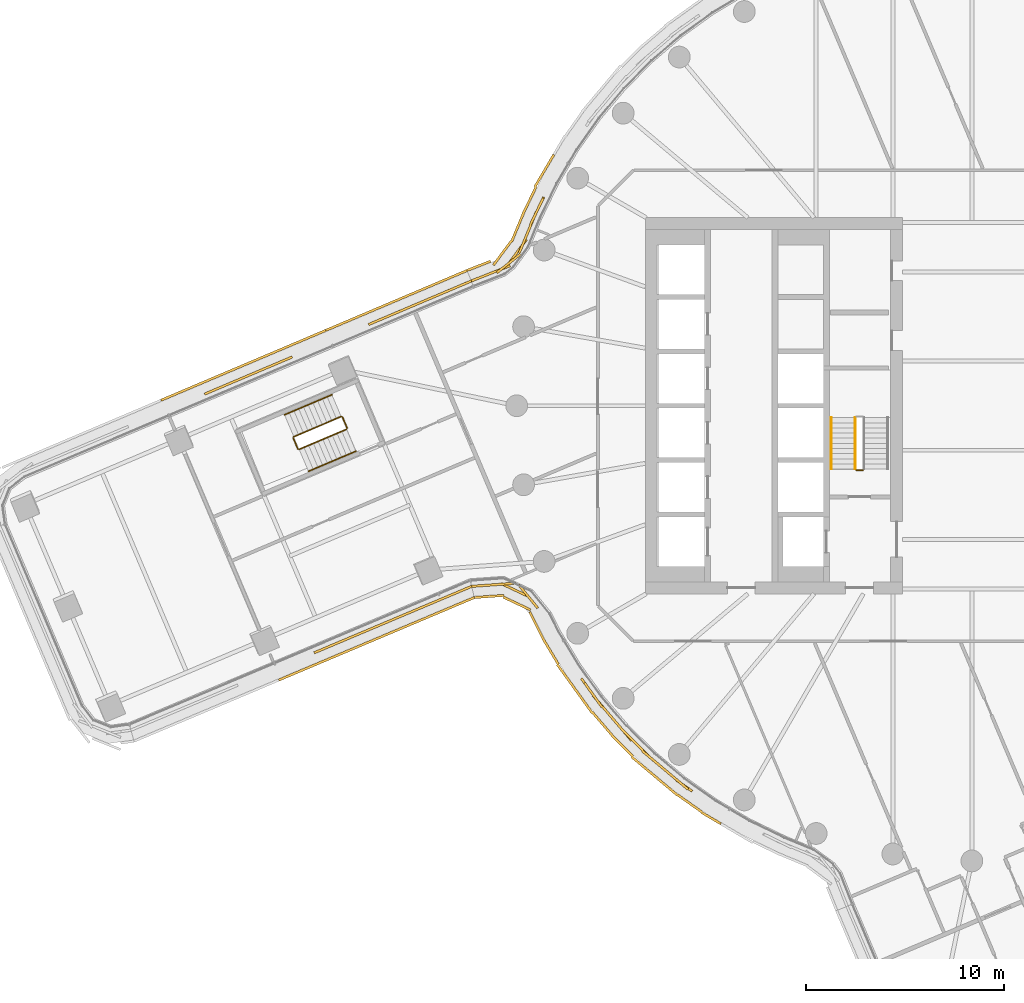
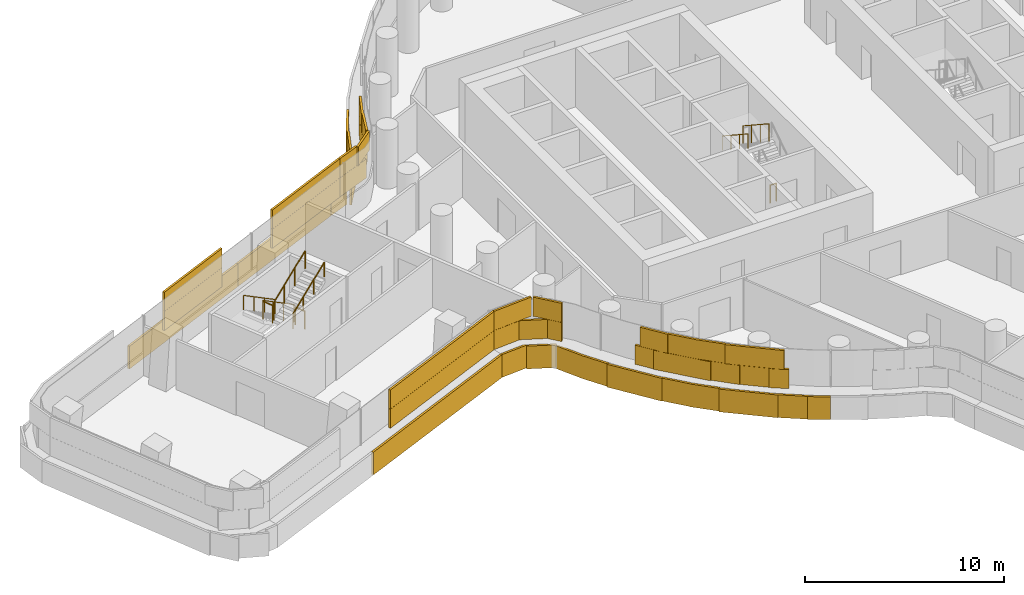
# One storey, part 30 of 35: 9 railings, 5 coverings.
"""IFC4 building model written with IfcOpenShell, lengths in metres."""

from ifc_helpers import new_model, si_unit, direction, frame, origin, origin_2d, place, context, subcontext, project, spatial, rectangle, circle, extrude, material, layer, layer_set, type_object, element, save


model = new_model("IFC4")

# Units and contexts
model_context = context("Model", 3, precision=1e-05, world=origin(), true_north=direction((0.0, 1.0)))
body_context = subcontext(model_context, "Body", "Model", "MODEL_VIEW")
ifc_project = project(units=[si_unit("LENGTHUNIT", "METRE"), si_unit("AREAUNIT", "SQUARE_METRE"), si_unit("VOLUMEUNIT", "CUBIC_METRE"), si_unit("PLANEANGLEUNIT", "RADIAN"), si_unit("MASSUNIT", "GRAM", prefix="KILO")], contexts=[model_context])

# Site, building, storey
site_placement = place(None, origin())
site = spatial("IfcSite", under=ifc_project, at=site_placement, CompositionType="ELEMENT")
building_placement = place(site_placement, origin())
building = spatial("IfcBuilding", under=site, at=building_placement, Name="Tamarind Cross Interchange Tower", CompositionType="ELEMENT")
storey_placement = place(building_placement, frame((0.0, 0.0, 117.25)))
storey = spatial("IfcBuildingStorey", under=building, at=storey_placement, Name="L28", CompositionType="ELEMENT", Elevation=117.25)

# Railings
ifc_material_1 = material(Name="Stair guard")
railing_type_1 = type_object("IfcRailingType", Name="Stair guard", PredefinedType="GUARDRAIL", material=ifc_material_1)
railing_1_placement = place(storey_placement, frame((-5.89990234375, -0.60009765625, 2.04541015625)))
element("IfcRailing", 1, at=railing_1_placement, inside=storey, type_object=railing_type_1, Name="L28 ST1 stair guard 3", PredefinedType="GUARDRAIL", context=body_context, shape_type="SweptSolid", body=[
    extrude(circle(Radius=0.02392578125, at=origin_2d()), frame((0.0, 0.0, 1.076171875), z_axis=(0.0, -0.836278606002, 0.548304744775), x_axis=(1.0, 0.0, 0.0)), (0.0, 0.0, 1.0), 3.10888671875),
    extrude(circle(Radius=0.02099609375, at=origin_2d()), origin(), (0.0, 0.0, 1.0), 1.052001953125),
    extrude(circle(Radius=0.02099609375, at=origin_2d()), frame((0.0, -0.86669921875, 0.568115234375)), (0.0, 0.0, 1.0), 1.052001953125),
    extrude(circle(Radius=0.02099609375, at=origin_2d()), frame((0.0, -1.733154296875, 1.136474609375)), (0.0, 0.0, 1.0), 1.052001953125),
    extrude(circle(Radius=0.02099609375, at=origin_2d()), frame((0.0, -2.599853515625, 1.70458984375)), (0.0, 0.0, 1.0), 1.052001953125),
])
railing_2_placement = place(storey_placement, frame((-5.5, -3.25, 0.0)))
element("IfcRailing", 2, at=railing_2_placement, inside=storey, type_object=railing_type_1, Name="L28 ST1 stair guard 4", PredefinedType="GUARDRAIL", context=body_context, shape_type="SweptSolid", body=[
    extrude(circle(Radius=0.02392578125, at=origin_2d()), frame((0.0, 0.0, 1.076171875), z_axis=(-1.0, 0.0, 0.0), x_axis=(0.0, -1.0, 0.0)), (0.0, 0.0, 1.0), 0.35009765625),
    extrude(circle(Radius=0.02099609375, at=origin_2d()), origin(), (0.0, 0.0, 1.0), 1.052001953125),
    extrude(circle(Radius=0.02099609375, at=origin_2d()), frame((-0.35009765625, 0.0, 0.0)), (0.0, 0.0, 1.0), 1.052001953125),
])
railing_3_placement = place(storey_placement, frame((-31.869873046875, -0.547607421875, 0.17041015625)))
element("IfcRailing", 3, at=railing_3_placement, inside=storey, type_object=railing_type_1, Name="L28 ST5 stair guard 1", PredefinedType="GUARDRAIL", context=body_context, shape_type="SweptSolid", body=[
    extrude(circle(Radius=0.02392578125, at=origin_2d()), frame((0.0, 0.0, 1.076171875), z_axis=(-0.769885340625, -0.326596606657, 0.548280237479), x_axis=(0.390528143899, -0.920590988888, 0.0)), (0.0, 0.0, 1.0), 3.10888671875),
    extrude(circle(Radius=0.02099609375, at=origin_2d()), origin(), (0.0, 0.0, 1.0), 1.052001953125),
    extrude(circle(Radius=0.02099609375, at=origin_2d()), frame((-0.7978515625, -0.33837890625, 0.568115234375)), (0.0, 0.0, 1.0), 1.052001953125),
    extrude(circle(Radius=0.02099609375, at=origin_2d()), frame((-1.595703125, -0.677001953125, 1.136474609375)), (0.0, 0.0, 1.0), 1.052001953125),
    extrude(circle(Radius=0.02099609375, at=origin_2d()), frame((-2.3935546875, -1.015380859375, 1.70458984375)), (0.0, 0.0, 1.0), 1.052001953125),
])
railing_4_placement = place(storey_placement, frame((-34.289794921875, -1.62841796875, 1.875)))
element("IfcRailing", 4, at=railing_4_placement, inside=storey, type_object=railing_type_1, Name="L28 ST5 stair guard 2", PredefinedType="GUARDRAIL", context=body_context, shape_type="SweptSolid", body=[
    extrude(circle(Radius=0.02392578125, at=origin_2d()), frame((0.0, 0.0, 1.076171875), z_axis=(0.390184111939, -0.920736856431, 0.0), x_axis=(0.920736856431, 0.390184111939, 0.0)), (0.0, 0.0, 1.0), 0.60009765625),
    extrude(circle(Radius=0.02099609375, at=origin_2d()), origin(), (0.0, 0.0, 1.0), 1.052001953125),
    extrude(circle(Radius=0.02099609375, at=origin_2d()), frame((0.234130859375, -0.552490234375, 0.0)), (0.0, 0.0, 1.0), 1.052001953125),
])
railing_5_placement = place(storey_placement, frame((-33.989990234375, -2.207275390625, 2.04541015625)))
element("IfcRailing", 5, at=railing_5_placement, inside=storey, type_object=railing_type_1, Name="L28 ST5 stair guard 3", PredefinedType="GUARDRAIL", context=body_context, shape_type="SweptSolid", body=[
    extrude(circle(Radius=0.02392578125, at=origin_2d()), frame((0.0, 0.0, 1.076171875), z_axis=(0.769905084162, 0.326526452463, 0.548294298003), x_axis=(-0.390448560819, 0.920624745135, 0.0)), (0.0, 0.0, 1.0), 3.10888671875),
    extrude(circle(Radius=0.02099609375, at=origin_2d()), origin(), (0.0, 0.0, 1.0), 1.052001953125),
    extrude(circle(Radius=0.02099609375, at=origin_2d()), frame((0.7978515625, 0.33837890625, 0.568115234375)), (0.0, 0.0, 1.0), 1.052001953125),
    extrude(circle(Radius=0.02099609375, at=origin_2d()), frame((1.595703125, 0.6767578125, 1.136474609375)), (0.0, 0.0, 1.0), 1.052001953125),
    extrude(circle(Radius=0.02099609375, at=origin_2d()), frame((2.3935546875, 1.01513671875, 1.70458984375)), (0.0, 0.0, 1.0), 1.052001953125),
])
railing_6_placement = place(storey_placement, frame((-31.80419921875, -0.57421875, 0.0)))
element("IfcRailing", 6, at=railing_6_placement, inside=storey, type_object=railing_type_1, Name="L28 ST5 stair guard 4", PredefinedType="GUARDRAIL", context=body_context, shape_type="SweptSolid", body=[
    extrude(circle(Radius=0.02392578125, at=origin_2d()), frame((0.0, 0.0, 1.076171875), z_axis=(0.390675254549, -0.920528568532, 0.0), x_axis=(0.920528568532, 0.390675254549, 0.0)), (0.0, 0.0, 1.0), 0.599853515625),
    extrude(circle(Radius=0.02099609375, at=origin_2d()), origin(), (0.0, 0.0, 1.0), 1.052001953125),
    extrude(circle(Radius=0.02099609375, at=origin_2d()), frame((0.234375, -0.55224609375, 0.0)), (0.0, 0.0, 1.0), 1.052001953125),
])
ifc_material_2 = material(Name="Stair handrail")
railing_type_2 = type_object("IfcRailingType", Name="Stair handrail", PredefinedType="HANDRAIL", material=ifc_material_2)
railing_7_placement = place(storey_placement, frame((-7.10009765625, -0.60009765625, 2.04541015625)))
element("IfcRailing", 7, at=railing_7_placement, inside=storey, type_object=railing_type_2, Name="L28 ST1 stair handrail 2", PredefinedType="HANDRAIL", context=body_context, shape_type="SweptSolid", body=[
    extrude(circle(Radius=0.02392578125, at=origin_2d()), frame((0.0, 0.0, 0.8759765625), z_axis=(0.0, -0.836278606002, 0.548304744775), x_axis=(1.0, 0.0, 0.0)), (0.0, 0.0, 1.0), 3.10888671875),
    extrude(circle(Radius=0.02099609375, at=origin_2d()), origin(), (0.0, 0.0, 1.0), 0.851806640625),
    extrude(circle(Radius=0.02099609375, at=origin_2d()), frame((0.0, -0.86669921875, 0.568115234375)), (0.0, 0.0, 1.0), 0.851806640625),
    extrude(circle(Radius=0.02099609375, at=origin_2d()), frame((0.0, -1.733154296875, 1.136474609375)), (0.0, 0.0, 1.0), 0.851806640625),
    extrude(circle(Radius=0.02099609375, at=origin_2d()), frame((0.0, -2.599853515625, 1.70458984375)), (0.0, 0.0, 1.0), 0.851806640625),
])
railing_8_placement = place(storey_placement, frame((-32.33837890625, 0.55712890625, 0.17041015625)))
element("IfcRailing", 8, at=railing_8_placement, inside=storey, type_object=railing_type_2, Name="L28 ST5 stair handrail 1", PredefinedType="HANDRAIL", context=body_context, shape_type="SweptSolid", body=[
    extrude(circle(Radius=0.02392578125, at=origin_2d()), frame((0.0, 0.0, 0.8759765625), z_axis=(-0.769885340625, -0.326596606657, 0.548280237479), x_axis=(0.390528143899, -0.920590988888, 0.0)), (0.0, 0.0, 1.0), 3.10888671875),
    extrude(circle(Radius=0.02099609375, at=origin_2d()), origin(), (0.0, 0.0, 1.0), 0.851806640625),
    extrude(circle(Radius=0.02099609375, at=origin_2d()), frame((-0.7978515625, -0.33837890625, 0.568115234375)), (0.0, 0.0, 1.0), 0.851806640625),
    extrude(circle(Radius=0.02099609375, at=origin_2d()), frame((-1.595703125, -0.677001953125, 1.136474609375)), (0.0, 0.0, 1.0), 0.851806640625),
    extrude(circle(Radius=0.02099609375, at=origin_2d()), frame((-2.3935546875, -1.015380859375, 1.70458984375)), (0.0, 0.0, 1.0), 0.851806640625),
])
railing_9_placement = place(storey_placement, frame((-33.521484375, -3.31201171875, 2.04541015625)))
element("IfcRailing", 9, at=railing_9_placement, inside=storey, type_object=railing_type_2, Name="L28 ST5 stair handrail 2", PredefinedType="HANDRAIL", context=body_context, shape_type="SweptSolid", body=[
    extrude(circle(Radius=0.02392578125, at=origin_2d()), frame((0.0, 0.0, 0.8759765625), z_axis=(0.769905084162, 0.326526452463, 0.548294298003), x_axis=(-0.390448560819, 0.920624745135, 0.0)), (0.0, 0.0, 1.0), 3.10888671875),
    extrude(circle(Radius=0.02099609375, at=origin_2d()), origin(), (0.0, 0.0, 1.0), 0.851806640625),
    extrude(circle(Radius=0.02099609375, at=origin_2d()), frame((0.7978515625, 0.33837890625, 0.568115234375)), (0.0, 0.0, 1.0), 0.851806640625),
    extrude(circle(Radius=0.02099609375, at=origin_2d()), frame((1.595703125, 0.6767578125, 1.136474609375)), (0.0, 0.0, 1.0), 0.851806640625),
    extrude(circle(Radius=0.02099609375, at=origin_2d()), frame((2.3935546875, 1.01513671875, 1.70458984375)), (0.0, 0.0, 1.0), 0.851806640625),
])

# Coverings
ifc_material_3 = material(Name="Terracotta", Category="masonry")
ifc_layer = layer(ifc_material_3, 0.1201171875)
ifc_layer_set = layer_set([ifc_layer], Name="Terracotta")
covering_type = type_object("IfcCoveringType", Name="Terracotta baguette screen unit", PredefinedType="MOLDING", material=ifc_layer_set)
covering_1_placement = place(storey_placement, origin())
element("IfcCovering", 10, at=covering_1_placement, inside=storey, type_object=covering_type, Name="SCR-L28-01-01", PredefinedType="MOLDING", context=body_context, shape_type="SweptSolid", body=[
    extrude(rectangle(XDim=0.45751953125, YDim=0.1201171875, at=origin_2d()), frame((-33.02392578125, -12.396484375, 1.404052734375), z_axis=(0.0, 0.0, 1.0), x_axis=(0.921263635853, 0.388938701154, 0.0)), (0.0, 0.0, 1.0), 1.1669921875),
    extrude(rectangle(XDim=1.52001953125, YDim=0.1201171875, at=origin_2d()), frame((-32.126953125, -12.017822265625, 1.404052734375), z_axis=(0.0, 0.0, 1.0), x_axis=(0.921263635853, 0.388938701154, 0.0)), (0.0, 0.0, 1.0), 1.1669921875),
    extrude(rectangle(XDim=1.52001953125, YDim=0.1201171875, at=origin_2d()), frame((-30.744873046875, -11.434326171875, 1.404052734375), z_axis=(0.0, 0.0, 1.0), x_axis=(0.921263635853, 0.388938701154, 0.0)), (0.0, 0.0, 1.0), 1.1669921875),
    extrude(rectangle(XDim=1.52001953125, YDim=0.1201171875, at=origin_2d()), frame((-29.363037109375, -10.850830078125, 1.404052734375), z_axis=(0.0, 0.0, 1.0), x_axis=(0.921263635853, 0.388938701154, 0.0)), (0.0, 0.0, 1.0), 1.1669921875),
    extrude(rectangle(XDim=1.52001953125, YDim=0.1201171875, at=origin_2d()), frame((-27.981201171875, -10.267578125, 1.404052734375), z_axis=(0.0, 0.0, 1.0), x_axis=(0.921263635853, 0.388938701154, 0.0)), (0.0, 0.0, 1.0), 1.1669921875),
    extrude(rectangle(XDim=1.52001953125, YDim=0.1201171875, at=origin_2d()), frame((-26.599365234375, -9.68408203125, 1.404052734375), z_axis=(0.0, 0.0, 1.0), x_axis=(0.921263635853, 0.388938701154, 0.0)), (0.0, 0.0, 1.0), 1.1669921875),
    extrude(rectangle(XDim=0.69384765625, YDim=0.1201171875, at=origin_2d()), frame((-25.59326171875, -9.259521484375, 1.404052734375), z_axis=(0.0, 0.0, 1.0), x_axis=(0.921263635853, 0.388938701154, 0.0)), (0.0, 0.0, 1.0), 1.1669921875),
    extrude(rectangle(XDim=1.20751953125, YDim=0.1201171875, at=origin_2d()), frame((-32.678466796875, -12.250732421875, 2.5791015625), z_axis=(0.0, 0.0, 1.0), x_axis=(0.921263635853, 0.388938701154, 0.0)), (0.0, 0.0, 1.0), 1.1669921875),
    extrude(rectangle(XDim=1.52001953125, YDim=0.1201171875, at=origin_2d()), frame((-31.435791015625, -11.72607421875, 2.5791015625), z_axis=(0.0, 0.0, 1.0), x_axis=(0.921263635853, 0.388938701154, 0.0)), (0.0, 0.0, 1.0), 1.1669921875),
    extrude(rectangle(XDim=1.52001953125, YDim=0.1201171875, at=origin_2d()), frame((-30.053955078125, -11.142578125, 2.5791015625), z_axis=(0.0, 0.0, 1.0), x_axis=(0.921263635853, 0.388938701154, 0.0)), (0.0, 0.0, 1.0), 1.1669921875),
    extrude(rectangle(XDim=1.52001953125, YDim=0.1201171875, at=origin_2d()), frame((-28.672119140625, -10.559326171875, 2.5791015625), z_axis=(0.0, 0.0, 1.0), x_axis=(0.921263635853, 0.388938701154, 0.0)), (0.0, 0.0, 1.0), 1.1669921875),
    extrude(rectangle(XDim=1.52001953125, YDim=0.1201171875, at=origin_2d()), frame((-27.290283203125, -9.975830078125, 2.5791015625), z_axis=(0.0, 0.0, 1.0), x_axis=(0.921263635853, 0.388938701154, 0.0)), (0.0, 0.0, 1.0), 1.1669921875),
    extrude(rectangle(XDim=1.44384765625, YDim=0.1201171875, at=origin_2d()), frame((-25.938720703125, -9.4052734375, 2.5791015625), z_axis=(0.0, 0.0, 1.0), x_axis=(0.921263635853, 0.388938701154, 0.0)), (0.0, 0.0, 1.0), 1.1669921875),
    extrude(rectangle(XDim=1.06591796875, YDim=0.1201171875, at=origin_2d()), frame((-34.52734375, -13.654296875, 0.00390625), z_axis=(0.0, 0.0, 1.0), x_axis=(0.921263635853, 0.388938701154, 0.0)), (0.0, 0.0, 1.0), 1.39208984375),
    extrude(rectangle(XDim=1.52001953125, YDim=0.1201171875, at=origin_2d()), frame((-33.354736328125, -13.1591796875, 0.00390625), z_axis=(0.0, 0.0, 1.0), x_axis=(0.921263635853, 0.388938701154, 0.0)), (0.0, 0.0, 1.0), 1.39208984375),
    extrude(rectangle(XDim=1.52001953125, YDim=0.1201171875, at=origin_2d()), frame((-31.97265625, -12.57568359375, 0.00390625), z_axis=(0.0, 0.0, 1.0), x_axis=(0.921263635853, 0.388938701154, 0.0)), (0.0, 0.0, 1.0), 1.39208984375),
    extrude(rectangle(XDim=1.52001953125, YDim=0.1201171875, at=origin_2d()), frame((-30.5908203125, -11.992431640625, 0.00390625), z_axis=(0.0, 0.0, 1.0), x_axis=(0.921263635853, 0.388938701154, 0.0)), (0.0, 0.0, 1.0), 1.39208984375),
    extrude(rectangle(XDim=1.52001953125, YDim=0.1201171875, at=origin_2d()), frame((-29.208984375, -11.408935546875, 0.00390625), z_axis=(0.0, 0.0, 1.0), x_axis=(0.921263635853, 0.388938701154, 0.0)), (0.0, 0.0, 1.0), 1.39208984375),
    extrude(rectangle(XDim=1.52001953125, YDim=0.1201171875, at=origin_2d()), frame((-27.8271484375, -10.825439453125, 0.00390625), z_axis=(0.0, 0.0, 1.0), x_axis=(0.921263635853, 0.388938701154, 0.0)), (0.0, 0.0, 1.0), 1.39208984375),
    extrude(rectangle(XDim=1.52001953125, YDim=0.1201171875, at=origin_2d()), frame((-26.445068359375, -10.2421875, 0.00390625), z_axis=(0.0, 0.0, 1.0), x_axis=(0.921263635853, 0.388938701154, 0.0)), (0.0, 0.0, 1.0), 1.39208984375),
    extrude(rectangle(XDim=0.673828125, YDim=0.1201171875, at=origin_2d()), frame((-25.453125, -9.8232421875, 0.00390625), z_axis=(0.0, 0.0, 1.0), x_axis=(0.921263635853, 0.388938701154, 0.0)), (0.0, 0.0, 1.0), 1.39208984375),
])
covering_2_placement = place(storey_placement, origin())
element("IfcCovering", 11, at=covering_2_placement, inside=storey, type_object=covering_type, Name="SCR-L28-02-00", PredefinedType="MOLDING", context=body_context, shape_type="SweptSolid", body=[
    extrude(rectangle(XDim=1.510009765625, YDim=0.1201171875, at=origin_2d()), frame((-24.5302734375, -9.072998046875, 1.404052734375), z_axis=(0.0, 0.0, 1.0), x_axis=(0.997457693651, 0.071261135101, 0.0)), (0.0, 0.0, 1.0), 1.1669921875),
    extrude(rectangle(XDim=1.52001953125, YDim=0.1201171875, at=origin_2d()), frame((-23.09814453125, -9.308349609375, 1.404052734375), z_axis=(0.0, 0.0, 1.0), x_axis=(0.904286788189, -0.426925525948, 0.0)), (0.0, 0.0, 1.0), 1.1669921875),
    extrude(rectangle(XDim=0.775390625, YDim=0.1201171875, at=origin_2d()), frame((-22.179443359375, -9.92724609375, 1.404052734375), z_axis=(0.0, 0.0, 1.0), x_axis=(0.632251861763, -0.774762920704, 0.0)), (0.0, 0.0, 1.0), 1.1669921875),
    extrude(rectangle(XDim=1.044677734375, YDim=0.1201171875, at=origin_2d()), frame((-19.427490234375, -14.203857421875, 1.404052734375), z_axis=(0.0, 0.0, 1.0), x_axis=(0.584573890505, -0.811340475102, 0.0)), (0.0, 0.0, 1.0), 1.1669921875),
    extrude(rectangle(XDim=1.52001953125, YDim=0.1201171875, at=origin_2d()), frame((-18.658203125, -15.20947265625, 1.404052734375), z_axis=(0.0, 0.0, 1.0), x_axis=(0.64957723968, -0.760295606781, 0.0)), (0.0, 0.0, 1.0), 1.1669921875),
    extrude(rectangle(XDim=1.52001953125, YDim=0.1201171875, at=origin_2d()), frame((-17.683837890625, -16.35009765625, 1.404052734375), z_axis=(0.0, 0.0, 1.0), x_axis=(0.64957723968, -0.760295606781, 0.0)), (0.0, 0.0, 1.0), 1.1669921875),
    extrude(rectangle(XDim=1.52001953125, YDim=0.1201171875, at=origin_2d()), frame((-16.62158203125, -17.408935546875, 1.404052734375), z_axis=(0.0, 0.0, 1.0), x_axis=(0.710143317658, -0.704057148523, 0.0)), (0.0, 0.0, 1.0), 1.1669921875),
    extrude(rectangle(XDim=1.52001953125, YDim=0.1201171875, at=origin_2d()), frame((-15.503173828125, -18.406494140625, 1.404052734375), z_axis=(0.0, 0.0, 1.0), x_axis=(0.765858396687, -0.643009266048, 0.0)), (0.0, 0.0, 1.0), 1.1669921875),
    extrude(rectangle(XDim=0.99560546875, YDim=0.1201171875, at=origin_2d()), frame((-14.540771484375, -19.19189453125, 1.404052734375), z_axis=(0.0, 0.0, 1.0), x_axis=(0.816341886298, -0.577568978284, 0.0)), (0.0, 0.0, 1.0), 1.1669921875),
    extrude(rectangle(XDim=0.760009765625, YDim=0.1201171875, at=origin_2d()), frame((-24.904296875, -9.099609375, 2.5791015625), z_axis=(0.0, 0.0, 1.0), x_axis=(0.997457693651, 0.071261135101, 0.0)), (0.0, 0.0, 1.0), 1.1669921875),
    extrude(rectangle(XDim=1.52001953125, YDim=0.1201171875, at=origin_2d()), frame((-23.7822265625, -9.01953125, 2.5791015625), z_axis=(0.0, 0.0, 1.0), x_axis=(0.997457693651, 0.071261135101, 0.0)), (0.0, 0.0, 1.0), 1.1669921875),
    extrude(rectangle(XDim=1.52001953125, YDim=0.1201171875, at=origin_2d()), frame((-22.421630859375, -9.630615234375, 2.5791015625), z_axis=(0.0, 0.0, 1.0), x_axis=(0.632251861763, -0.774762920704, 0.0)), (0.0, 0.0, 1.0), 1.1669921875),
    extrude(rectangle(XDim=1.52001953125, YDim=0.1201171875, at=origin_2d()), frame((-19.125, -14.62353515625, 2.5791015625), z_axis=(0.0, 0.0, 1.0), x_axis=(0.584573890505, -0.811340475102, 0.0)), (0.0, 0.0, 1.0), 1.1669921875),
    extrude(rectangle(XDim=1.52001953125, YDim=0.1201171875, at=origin_2d()), frame((-18.1708984375, -15.77978515625, 2.5791015625), z_axis=(0.0, 0.0, 1.0), x_axis=(0.64957723968, -0.760295606781, 0.0)), (0.0, 0.0, 1.0), 1.1669921875),
    extrude(rectangle(XDim=1.52001953125, YDim=0.1201171875, at=origin_2d()), frame((-17.154296875, -16.880859375, 2.5791015625), z_axis=(0.0, 0.0, 1.0), x_axis=(0.710143317658, -0.704057148523, 0.0)), (0.0, 0.0, 1.0), 1.1669921875),
    extrude(rectangle(XDim=1.52001953125, YDim=0.1201171875, at=origin_2d()), frame((-16.077392578125, -17.92431640625, 2.5791015625), z_axis=(0.0, 0.0, 1.0), x_axis=(0.765858396687, -0.643009266048, 0.0)), (0.0, 0.0, 1.0), 1.1669921875),
    extrude(rectangle(XDim=1.52001953125, YDim=0.1201171875, at=origin_2d()), frame((-14.9287109375, -18.888916015625, 2.5791015625), z_axis=(0.0, 0.0, 1.0), x_axis=(0.765858396687, -0.643009266048, 0.0)), (0.0, 0.0, 1.0), 1.1669921875),
    extrude(rectangle(XDim=1.510009765625, YDim=0.1201171875, at=origin_2d()), frame((-24.3896484375, -9.638427734375, 0.00390625), z_axis=(0.0, 0.0, 1.0), x_axis=(0.997457693651, 0.071261135101, 0.0)), (0.0, 0.0, 1.0), 1.39208984375),
    extrude(rectangle(XDim=1.52001953125, YDim=0.1201171875, at=origin_2d()), frame((-22.985107421875, -9.996337890625, 0.00390625), z_axis=(0.0, 0.0, 1.0), x_axis=(0.904286788189, -0.426925525948, 0.0)), (0.0, 0.0, 1.0), 1.39208984375),
    extrude(rectangle(XDim=1.52001953125, YDim=0.1201171875, at=origin_2d()), frame((-22.002685546875, -11.098876953125, 0.00390625), z_axis=(0.0, 0.0, 1.0), x_axis=(0.446827192786, -0.894620288048, 0.0)), (0.0, 0.0, 1.0), 1.39208984375),
    extrude(rectangle(XDim=1.52001953125, YDim=0.1201171875, at=origin_2d()), frame((-21.28564453125, -12.4150390625, 0.00390625), z_axis=(0.0, 0.0, 1.0), x_axis=(0.515577308909, -0.856843065292, 0.0)), (0.0, 0.0, 1.0), 1.39208984375),
    extrude(rectangle(XDim=1.52001953125, YDim=0.1201171875, at=origin_2d()), frame((-20.50244140625, -13.69384765625, 0.00390625), z_axis=(0.0, 0.0, 1.0), x_axis=(0.584573890505, -0.811340475102, 0.0)), (0.0, 0.0, 1.0), 1.39208984375),
    extrude(rectangle(XDim=1.52001953125, YDim=0.1201171875, at=origin_2d()), frame((-19.62548828125, -14.910888671875, 0.00390625), z_axis=(0.0, 0.0, 1.0), x_axis=(0.584573890505, -0.811340475102, 0.0)), (0.0, 0.0, 1.0), 1.39208984375),
    extrude(rectangle(XDim=1.52001953125, YDim=0.1201171875, at=origin_2d()), frame((-18.6767578125, -16.0712890625, 0.00390625), z_axis=(0.0, 0.0, 1.0), x_axis=(0.64957723968, -0.760295606781, 0.0)), (0.0, 0.0, 1.0), 1.39208984375),
    extrude(rectangle(XDim=1.52001953125, YDim=0.1201171875, at=origin_2d()), frame((-17.66796875, -17.179931640625, 0.00390625), z_axis=(0.0, 0.0, 1.0), x_axis=(0.710143317658, -0.704057148523, 0.0)), (0.0, 0.0, 1.0), 1.39208984375),
    extrude(rectangle(XDim=1.52001953125, YDim=0.1201171875, at=origin_2d()), frame((-16.60107421875, -18.234130859375, 0.00390625), z_axis=(0.0, 0.0, 1.0), x_axis=(0.765858396687, -0.643009266048, 0.0)), (0.0, 0.0, 1.0), 1.39208984375),
    extrude(rectangle(XDim=1.52001953125, YDim=0.1201171875, at=origin_2d()), frame((-15.452392578125, -19.19873046875, 0.00390625), z_axis=(0.0, 0.0, 1.0), x_axis=(0.765858396687, -0.643009266048, 0.0)), (0.0, 0.0, 1.0), 1.39208984375),
    extrude(rectangle(XDim=1.52001953125, YDim=0.1201171875, at=origin_2d()), frame((-14.25341796875, -20.098388671875, 0.00390625), z_axis=(0.0, 0.0, 1.0), x_axis=(0.816341886298, -0.577568978284, 0.0)), (0.0, 0.0, 1.0), 1.39208984375),
    extrude(rectangle(XDim=1.137939453125, YDim=0.1201171875, at=origin_2d()), frame((-13.173095703125, -20.836181640625, 0.00390625), z_axis=(0.0, 0.0, 1.0), x_axis=(0.861248933065, -0.508183308752, 0.0)), (0.0, 0.0, 1.0), 1.39208984375),
])
covering_3_placement = place(storey_placement, origin())
element("IfcCovering", 12, at=covering_3_placement, inside=storey, type_object=covering_type, Name="SCR-L28-14-01", PredefinedType="MOLDING", context=body_context, shape_type="SweptSolid", body=[
    extrude(rectangle(XDim=0.824462890625, YDim=0.1201171875, at=origin_2d()), frame((-21.810546875, 10.176513671875, 1.404052734375), z_axis=(0.0, 0.0, 1.0), x_axis=(-0.435326231914, -0.900272776334, 0.0)), (0.0, 0.0, 1.0), 1.1669921875),
    extrude(rectangle(XDim=1.52001953125, YDim=0.1201171875, at=origin_2d()), frame((-22.288818359375, 9.123291015625, 1.404052734375), z_axis=(0.0, 0.0, 1.0), x_axis=(-0.383930399999, -0.92336203515, 0.0)), (0.0, 0.0, 1.0), 1.1669921875),
    extrude(rectangle(XDim=1.52001953125, YDim=0.1201171875, at=origin_2d()), frame((-22.954833984375, 7.789306640625, 1.404052734375), z_axis=(0.0, 0.0, 1.0), x_axis=(-0.594688681697, -0.803956075829, 0.0)), (0.0, 0.0, 1.0), 1.1669921875),
    extrude(rectangle(XDim=1.52001953125, YDim=0.1201171875, at=origin_2d()), frame((-24.037109375, 6.800048828125, 1.404052734375), z_axis=(0.0, 0.0, 1.0), x_axis=(-0.930260344584, -0.366900110784, 0.0)), (0.0, 0.0, 1.0), 1.1669921875),
    extrude(rectangle(XDim=0.610595703125, YDim=0.1201171875, at=origin_2d()), frame((-25.01416015625, 6.41455078125, 1.404052734375), z_axis=(0.0, 0.0, 1.0), x_axis=(-0.930260344584, -0.366900110784, 0.0)), (0.0, 0.0, 1.0), 1.1669921875),
    extrude(rectangle(XDim=1.52001953125, YDim=0.1201171875, at=origin_2d()), frame((-21.98779296875, 9.809814453125, 2.5791015625), z_axis=(0.0, 0.0, 1.0), x_axis=(-0.435326231914, -0.900272776334, 0.0)), (0.0, 0.0, 1.0), 1.1669921875),
    extrude(rectangle(XDim=1.52001953125, YDim=0.1201171875, at=origin_2d()), frame((-22.57666015625, 8.4306640625, 2.5791015625), z_axis=(0.0, 0.0, 1.0), x_axis=(-0.383930399999, -0.92336203515, 0.0)), (0.0, 0.0, 1.0), 1.1669921875),
    extrude(rectangle(XDim=1.52001953125, YDim=0.1201171875, at=origin_2d()), frame((-23.406494140625, 7.191650390625, 2.5791015625), z_axis=(0.0, 0.0, 1.0), x_axis=(-0.784398648248, -0.620257011752, 0.0)), (0.0, 0.0, 1.0), 1.1669921875),
    extrude(rectangle(XDim=1.360595703125, YDim=0.1201171875, at=origin_2d()), frame((-24.665283203125, 6.55224609375, 2.5791015625), z_axis=(0.0, 0.0, 1.0), x_axis=(-0.930260344584, -0.366900110784, 0.0)), (0.0, 0.0, 1.0), 1.1669921875),
    extrude(rectangle(XDim=0.382080078125, YDim=0.1201171875, at=origin_2d()), frame((-21.222412109375, 12.5185546875, 0.00390625), z_axis=(0.0, 0.0, 1.0), x_axis=(-0.508183308752, -0.861248933065, 0.0)), (0.0, 0.0, 1.0), 1.39208984375),
    extrude(rectangle(XDim=1.52001953125, YDim=0.1201171875, at=origin_2d()), frame((-21.695556640625, 11.716796875, 0.00390625), z_axis=(0.0, 0.0, 1.0), x_axis=(-0.508183308752, -0.861248933065, 0.0)), (0.0, 0.0, 1.0), 1.39208984375),
    extrude(rectangle(XDim=1.52001953125, YDim=0.1201171875, at=origin_2d()), frame((-22.354736328125, 10.36962890625, 0.00390625), z_axis=(0.0, 0.0, 1.0), x_axis=(-0.435326231914, -0.900272776334, 0.0)), (0.0, 0.0, 1.0), 1.39208984375),
    extrude(rectangle(XDim=1.52001953125, YDim=0.1201171875, at=origin_2d()), frame((-22.962158203125, 8.998779296875, 0.00390625), z_axis=(0.0, 0.0, 1.0), x_axis=(-0.383930399999, -0.92336203515, 0.0)), (0.0, 0.0, 1.0), 1.39208984375),
    extrude(rectangle(XDim=1.52001953125, YDim=0.1201171875, at=origin_2d()), frame((-23.7216796875, 7.7177734375, 0.00390625), z_axis=(0.0, 0.0, 1.0), x_axis=(-0.594688681697, -0.803956075829, 0.0)), (0.0, 0.0, 1.0), 1.39208984375),
    extrude(rectangle(XDim=1.281982421875, YDim=0.1201171875, at=origin_2d()), frame((-24.91455078125, 7.071044921875, 0.00390625), z_axis=(0.0, 0.0, 1.0), x_axis=(-0.930260344584, -0.366900110784, 0.0)), (0.0, 0.0, 1.0), 1.39208984375),
])
covering_4_placement = place(storey_placement, origin())
element("IfcCovering", 13, at=covering_4_placement, inside=storey, type_object=covering_type, Name="SCR-L28-15-00", PredefinedType="MOLDING", context=body_context, shape_type="SweptSolid", body=[
    extrude(rectangle(XDim=1.510009765625, YDim=0.1201171875, at=origin_2d()), frame((-25.98388671875, 6.01171875, 1.404052734375), z_axis=(0.0, 0.0, 1.0), x_axis=(-0.920603025823, -0.390499768049, 0.0)), (0.0, 0.0, 1.0), 1.1669921875),
    extrude(rectangle(XDim=1.52001953125, YDim=0.1201171875, at=origin_2d()), frame((-27.36474609375, 5.42578125, 1.404052734375), z_axis=(0.0, 0.0, 1.0), x_axis=(-0.920603025823, -0.390499768049, 0.0)), (0.0, 0.0, 1.0), 1.1669921875),
    extrude(rectangle(XDim=1.52001953125, YDim=0.1201171875, at=origin_2d()), frame((-28.74560546875, 4.840087890625, 1.404052734375), z_axis=(0.0, 0.0, 1.0), x_axis=(-0.920603025823, -0.390499768049, 0.0)), (0.0, 0.0, 1.0), 1.1669921875),
    extrude(rectangle(XDim=1.142822265625, YDim=0.1201171875, at=origin_2d()), frame((-29.95751953125, 4.325927734375, 1.404052734375), z_axis=(0.0, 0.0, 1.0), x_axis=(-0.920603025823, -0.390499768049, 0.0)), (0.0, 0.0, 1.0), 1.1669921875),
    extrude(rectangle(XDim=0.760009765625, YDim=0.1201171875, at=origin_2d()), frame((-25.638671875, 6.157958984375, 2.5791015625), z_axis=(0.0, 0.0, 1.0), x_axis=(-0.920603025823, -0.390499768049, 0.0)), (0.0, 0.0, 1.0), 1.1669921875),
    extrude(rectangle(XDim=1.52001953125, YDim=0.1201171875, at=origin_2d()), frame((-26.67431640625, 5.71875, 2.5791015625), z_axis=(0.0, 0.0, 1.0), x_axis=(-0.920603025823, -0.390499768049, 0.0)), (0.0, 0.0, 1.0), 1.1669921875),
    extrude(rectangle(XDim=1.52001953125, YDim=0.1201171875, at=origin_2d()), frame((-28.05517578125, 5.133056640625, 2.5791015625), z_axis=(0.0, 0.0, 1.0), x_axis=(-0.920603025823, -0.390499768049, 0.0)), (0.0, 0.0, 1.0), 1.1669921875),
    extrude(rectangle(XDim=1.52001953125, YDim=0.1201171875, at=origin_2d()), frame((-29.43603515625, 4.547119140625, 2.5791015625), z_axis=(0.0, 0.0, 1.0), x_axis=(-0.920603025823, -0.390499768049, 0.0)), (0.0, 0.0, 1.0), 1.1669921875),
    extrude(rectangle(XDim=0.392822265625, YDim=0.1201171875, at=origin_2d()), frame((-30.302734375, 4.1796875, 2.5791015625), z_axis=(0.0, 0.0, 1.0), x_axis=(-0.920603025823, -0.390499768049, 0.0)), (0.0, 0.0, 1.0), 1.1669921875),
    extrude(rectangle(XDim=1.510009765625, YDim=0.1201171875, at=origin_2d()), frame((-26.205810546875, 6.541015625, 0.00390625), z_axis=(0.0, 0.0, 1.0), x_axis=(-0.920603025823, -0.390499768049, 0.0)), (0.0, 0.0, 1.0), 1.39208984375),
    extrude(rectangle(XDim=1.52001953125, YDim=0.1201171875, at=origin_2d()), frame((-27.582275390625, 5.95703125, 0.00390625), z_axis=(0.0, 0.0, 1.0), x_axis=(-0.920603025823, -0.390499768049, 0.0)), (0.0, 0.0, 1.0), 1.39208984375),
    extrude(rectangle(XDim=1.52001953125, YDim=0.1201171875, at=origin_2d()), frame((-28.963134765625, 5.371337890625, 0.00390625), z_axis=(0.0, 0.0, 1.0), x_axis=(-0.920603025823, -0.390499768049, 0.0)), (0.0, 0.0, 1.0), 1.39208984375),
    extrude(rectangle(XDim=1.52001953125, YDim=0.1201171875, at=origin_2d()), frame((-30.343994140625, 4.78564453125, 0.00390625), z_axis=(0.0, 0.0, 1.0), x_axis=(-0.920603025823, -0.390499768049, 0.0)), (0.0, 0.0, 1.0), 1.39208984375),
    extrude(rectangle(XDim=1.52001953125, YDim=0.1201171875, at=origin_2d()), frame((-31.724853515625, 4.199951171875, 0.00390625), z_axis=(0.0, 0.0, 1.0), x_axis=(-0.920603025823, -0.390499768049, 0.0)), (0.0, 0.0, 1.0), 1.39208984375),
    extrude(rectangle(XDim=0.268798828125, YDim=0.1201171875, at=origin_2d()), frame((-32.52978515625, 3.8583984375, 0.00390625), z_axis=(0.0, 0.0, 1.0), x_axis=(-0.920603025823, -0.390499768049, 0.0)), (0.0, 0.0, 1.0), 1.39208984375),
])
covering_5_placement = place(storey_placement, origin())
element("IfcCovering", 14, at=covering_5_placement, inside=storey, type_object=covering_type, Name="SCR-L28-15-01", PredefinedType="MOLDING", context=body_context, shape_type="SweptSolid", body=[
    extrude(rectangle(XDim=0.67724609375, YDim=0.1201171875, at=origin_2d()), frame((-34.652587890625, 2.33447265625, 1.404052734375), z_axis=(0.0, 0.0, 1.0), x_axis=(-0.920603025823, -0.390499768049, 0.0)), (0.0, 0.0, 1.0), 1.1669921875),
    extrude(rectangle(XDim=1.52001953125, YDim=0.1201171875, at=origin_2d()), frame((-35.650146484375, 1.911376953125, 1.404052734375), z_axis=(0.0, 0.0, 1.0), x_axis=(-0.920603025823, -0.390499768049, 0.0)), (0.0, 0.0, 1.0), 1.1669921875),
    extrude(rectangle(XDim=1.52001953125, YDim=0.1201171875, at=origin_2d()), frame((-37.031005859375, 1.32568359375, 1.404052734375), z_axis=(0.0, 0.0, 1.0), x_axis=(-0.920603025823, -0.390499768049, 0.0)), (0.0, 0.0, 1.0), 1.1669921875),
    extrude(rectangle(XDim=1.147705078125, YDim=0.1201171875, at=origin_2d()), frame((-38.2451171875, 0.810546875, 1.404052734375), z_axis=(0.0, 0.0, 1.0), x_axis=(-0.920603025823, -0.390499768049, 0.0)), (0.0, 0.0, 1.0), 1.1669921875),
    extrude(rectangle(XDim=1.42724609375, YDim=0.1201171875, at=origin_2d()), frame((-34.997802734375, 2.18798828125, 2.5791015625), z_axis=(0.0, 0.0, 1.0), x_axis=(-0.920603025823, -0.390499768049, 0.0)), (0.0, 0.0, 1.0), 1.1669921875),
    extrude(rectangle(XDim=1.52001953125, YDim=0.1201171875, at=origin_2d()), frame((-36.340576171875, 1.618408203125, 2.5791015625), z_axis=(0.0, 0.0, 1.0), x_axis=(-0.920603025823, -0.390499768049, 0.0)), (0.0, 0.0, 1.0), 1.1669921875),
    extrude(rectangle(XDim=1.52001953125, YDim=0.1201171875, at=origin_2d()), frame((-37.721435546875, 1.03271484375, 2.5791015625), z_axis=(0.0, 0.0, 1.0), x_axis=(-0.920603025823, -0.390499768049, 0.0)), (0.0, 0.0, 1.0), 1.1669921875),
    extrude(rectangle(XDim=0.397705078125, YDim=0.1201171875, at=origin_2d()), frame((-38.59033203125, 0.6640625, 2.5791015625), z_axis=(0.0, 0.0, 1.0), x_axis=(-0.920603025823, -0.390499768049, 0.0)), (0.0, 0.0, 1.0), 1.1669921875),
    extrude(rectangle(XDim=1.251220703125, YDim=0.1201171875, at=origin_2d()), frame((-33.2294921875, 3.561767578125, 0.00390625), z_axis=(0.0, 0.0, 1.0), x_axis=(-0.920603025823, -0.390499768049, 0.0)), (0.0, 0.0, 1.0), 1.39208984375),
    extrude(rectangle(XDim=1.52001953125, YDim=0.1201171875, at=origin_2d()), frame((-34.48681640625, 3.0283203125, 0.00390625), z_axis=(0.0, 0.0, 1.0), x_axis=(-0.920603025823, -0.390499768049, 0.0)), (0.0, 0.0, 1.0), 1.39208984375),
    extrude(rectangle(XDim=1.52001953125, YDim=0.1201171875, at=origin_2d()), frame((-35.86767578125, 2.442626953125, 0.00390625), z_axis=(0.0, 0.0, 1.0), x_axis=(-0.920603025823, -0.390499768049, 0.0)), (0.0, 0.0, 1.0), 1.39208984375),
    extrude(rectangle(XDim=1.52001953125, YDim=0.1201171875, at=origin_2d()), frame((-37.24853515625, 1.85693359375, 0.00390625), z_axis=(0.0, 0.0, 1.0), x_axis=(-0.920603025823, -0.390499768049, 0.0)), (0.0, 0.0, 1.0), 1.39208984375),
    extrude(rectangle(XDim=1.52001953125, YDim=0.1201171875, at=origin_2d()), frame((-38.62939453125, 1.271240234375, 0.00390625), z_axis=(0.0, 0.0, 1.0), x_axis=(-0.920603025823, -0.390499768049, 0.0)), (0.0, 0.0, 1.0), 1.39208984375),
    extrude(rectangle(XDim=1.52001953125, YDim=0.1201171875, at=origin_2d()), frame((-40.01025390625, 0.685302734375, 0.00390625), z_axis=(0.0, 0.0, 1.0), x_axis=(-0.920603025823, -0.390499768049, 0.0)), (0.0, 0.0, 1.0), 1.39208984375),
    extrude(rectangle(XDim=0.3037109375, YDim=0.1201171875, at=origin_2d()), frame((-40.831298828125, 0.337158203125, 0.00390625), z_axis=(0.0, 0.0, 1.0), x_axis=(-0.920603025823, -0.390499768049, 0.0)), (0.0, 0.0, 1.0), 1.39208984375),
])

save(model, "model.ifc")
